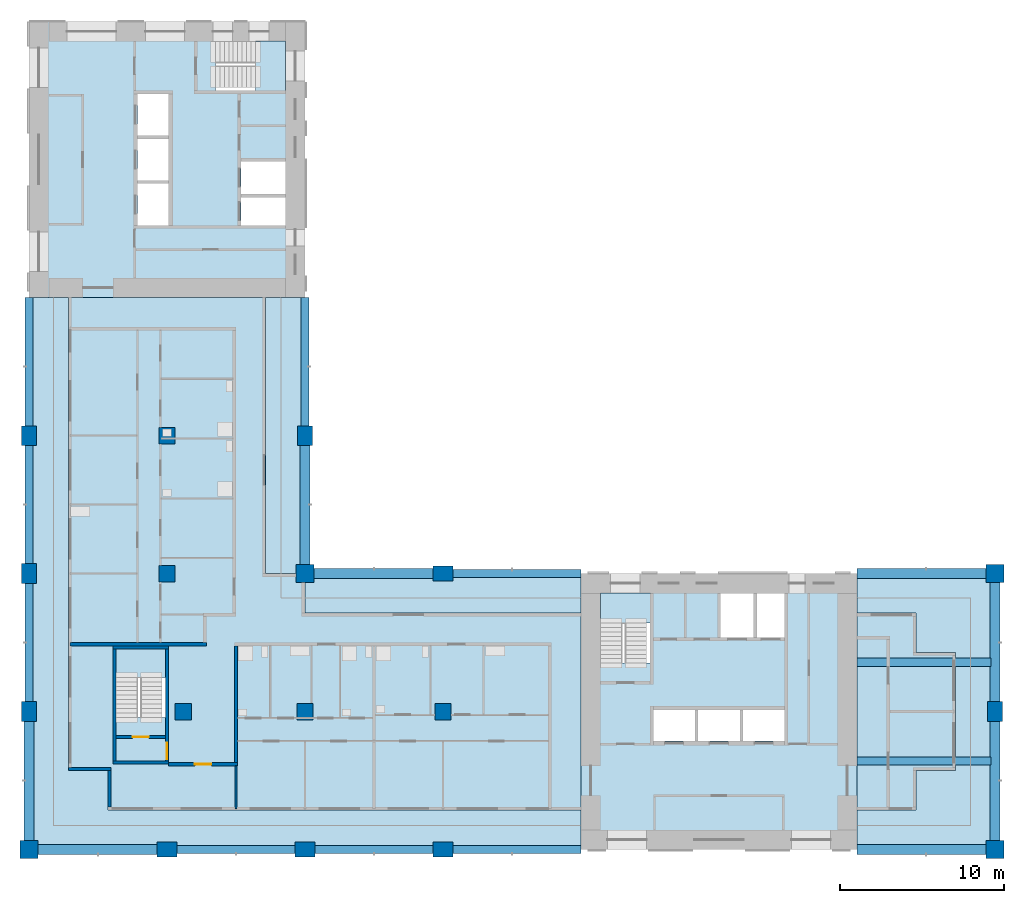
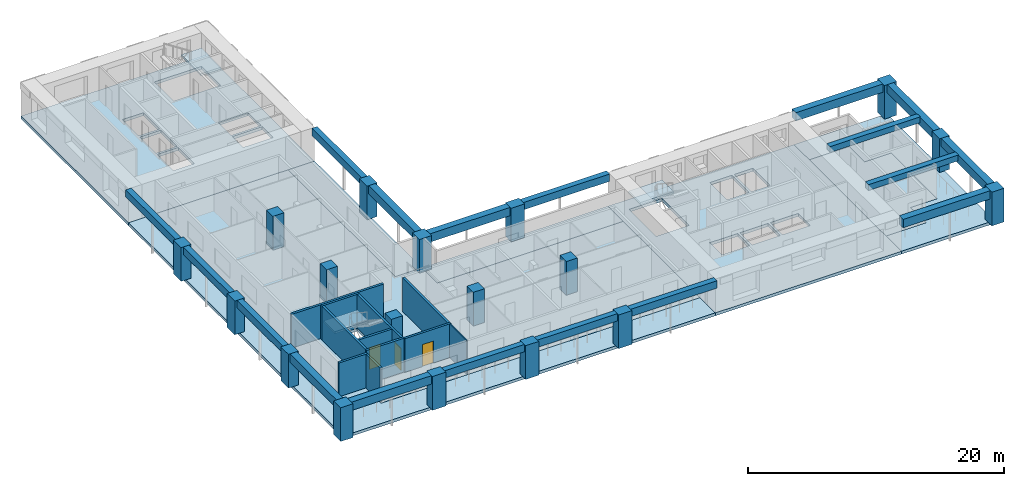
# One storey, part 1 of 10: 18 beams, 18 columns, 12 slabs, 11 walls, 3 doors, 3 openings, 3 elements without a shape of their own.
"""IFC4 building model written with IfcOpenShell, lengths in metres."""

import ifcopenshell
import ifcopenshell.guid

model = None  # the IFC model being written
_history = None  # IfcOwnerHistory: only IFC2X3 demands one
_inside = {}  # id of a spatial element -> (the spatial element, [elements in it])
_under = {}  # id of a project, library or spatial element -> (it, [spatial elements below it])
_declared = {}  # id of a project -> (the project, [libraries it declares])
_typed = {}  # id of a type object -> (the type object, [elements of that type])
_made_of = {}  # id of a material, layer set ... -> (it, [elements and type objects made of it])


def new_model(schema):
    """Start an empty IFC model of exactly this schema.

    Asked for "IFC4X3", IfcOpenShell would pick the latest addendum, in which some entities
    have other attributes; the version numbers below select the first issue.
    IFC2X3 requires an IfcOwnerHistory on every rooted entity: one is made here for all.
    """
    global model, _history
    if schema == "IFC4X3":
        model = ifcopenshell.file(schema_version=(4, 3, 0, 0))
    else:
        model = ifcopenshell.file(schema=schema)
    _inside.clear()
    _under.clear()
    _declared.clear()
    _typed.clear()
    _made_of.clear()
    _history = None
    if model.schema == "IFC2X3":
        org = make("IfcOrganization", Name="unknown")
        user = make(
            "IfcPersonAndOrganization",
            ThePerson=make("IfcPerson", FamilyName="unknown"),
            TheOrganization=org,
        )
        app = make(
            "IfcApplication",
            ApplicationDeveloper=org,
            Version="unknown",
            ApplicationFullName="unknown",
            ApplicationIdentifier="unknown",
        )
        _history = make(
            "IfcOwnerHistory",
            OwningUser=user,
            OwningApplication=app,
            ChangeAction="ADDED",
            CreationDate=0,
        )
    return model


def make(cls, **values):
    """One entity of the class cls with the attributes given. An attribute that is None is left unset."""
    return model.create_entity(
        cls, **{name: value for name, value in values.items() if value is not None}
    )


def rooted(cls, **values):
    """An entity with a GlobalId (a new one), such as an element, a storey or a relation."""
    return make(cls, GlobalId=ifcopenshell.guid.new(), OwnerHistory=_history, **values)


def si_unit(unit_type, name, prefix=None):
    """IfcSIUnit, for example si_unit("LENGTHUNIT", "METRE", prefix="MILLI")."""
    return make("IfcSIUnit", UnitType=unit_type, Prefix=prefix, Name=name)


def assignment(units):
    """IfcUnitAssignment: the units of a project."""
    return None if units is None else make("IfcUnitAssignment", Units=units)


def point(xyz):
    """IfcCartesianPoint."""
    return None if xyz is None else make("IfcCartesianPoint", Coordinates=xyz)


def direction(xyz):
    """IfcDirection."""
    return None if xyz is None else make("IfcDirection", DirectionRatios=xyz)


def frame(location, z_axis=None, x_axis=None):
    """IfcAxis2Placement3D, a coordinate frame: its origin and axes. An axis left out is left unset."""
    return make(
        "IfcAxis2Placement3D",
        Location=point(location),
        Axis=direction(z_axis),
        RefDirection=direction(x_axis),
    )


def frame_2d(location, x_axis=None):
    """IfcAxis2Placement2D, a coordinate frame in the plane: its origin and x axis."""
    return make(
        "IfcAxis2Placement2D", Location=point(location), RefDirection=direction(x_axis)
    )


def origin():
    """The frame at (0, 0, 0) with its axes left unset."""
    return frame((0.0, 0.0, 0.0))


def origin_2d():
    """The frame at (0, 0) in the plane with its x axis left unset."""
    return frame_2d((0.0, 0.0))


def place(relative_to, where):
    """IfcLocalPlacement: puts the frame where relative to a parent placement (None: the world)."""
    return make(
        "IfcLocalPlacement", PlacementRelTo=relative_to, RelativePlacement=where
    )


def context(
    kind, dimensions, precision=None, world=None, true_north=None, identifier=None
):
    """IfcGeometricRepresentationContext, for example the 3D "Model" context."""
    return make(
        "IfcGeometricRepresentationContext",
        ContextIdentifier=identifier,
        ContextType=kind,
        CoordinateSpaceDimension=dimensions,
        Precision=precision,
        WorldCoordinateSystem=world,
        TrueNorth=true_north,
    )


def subcontext(parent, identifier, kind, view, scale=None):
    """IfcGeometricRepresentationSubContext, for example "Body" below "Model"."""
    return make(
        "IfcGeometricRepresentationSubContext",
        ContextIdentifier=identifier,
        ContextType=kind,
        ParentContext=parent,
        TargetScale=scale,
        TargetView=view,
    )


def project(units=None, contexts=None):
    """IfcProject with its units and contexts."""
    return rooted(
        "IfcProject",
        Name="project",
        RepresentationContexts=contexts,
        UnitsInContext=assignment(units),
    )


def spatial(cls, under=None, at=None, **own):
    """A site, building, storey or space (cls), placed at a placement, below another one or the project."""
    s = rooted(cls, ObjectPlacement=at, **own)
    if under is not None:
        _under.setdefault(under.id(), (under, []))[1].append(s)
    return s


def polyline(points):
    """IfcPolyline through the points."""
    return make("IfcPolyline", Points=[point(p) for p in points])


def profile(cls, at=None, kind="AREA", **sizes):
    """A parametric profile (cls). Its sizes go by their IFC names, for example OverallWidth=200.0."""
    return make(cls, ProfileType=kind, Position=at, **sizes)


def rectangle(**sizes):
    """IfcRectangleProfileDef."""
    return profile("IfcRectangleProfileDef", **sizes)


def outline(outer, holes=None, kind="AREA"):
    """IfcArbitraryClosedProfileDef: a profile drawn as a closed curve; with holes, ...WithVoids."""
    if holes is None:
        return make("IfcArbitraryClosedProfileDef", ProfileType=kind, OuterCurve=outer)
    return make(
        "IfcArbitraryProfileDefWithVoids",
        ProfileType=kind,
        OuterCurve=outer,
        InnerCurves=holes,
    )


def extrude(swept, where, along, depth):
    """IfcExtrudedAreaSolid: the profile swept, set in the frame where, extruded along a direction by depth."""
    return make(
        "IfcExtrudedAreaSolid",
        SweptArea=swept,
        Position=where,
        ExtrudedDirection=direction(along),
        Depth=depth,
    )


def shape(context_of_items, identifier, shape_type, items):
    """IfcShapeRepresentation: the items that make up one representation, for example the "Body"."""
    return make(
        "IfcShapeRepresentation",
        ContextOfItems=context_of_items,
        RepresentationIdentifier=identifier,
        RepresentationType=shape_type,
        Items=items,
    )


def material(Name=None, Category=None):
    """IfcMaterial."""
    return make("IfcMaterial", Name=Name, Category=Category)


def layer(
    of_material, thickness, ventilated=None, Name=None, Category=None, Priority=None
):
    """IfcMaterialLayer: one layer of a wall or slab, of a material (None: an air gap)."""
    return make(
        "IfcMaterialLayer",
        Material=of_material,
        LayerThickness=thickness,
        IsVentilated=ventilated,
        Name=Name,
        Category=Category,
        Priority=Priority,
    )


def layer_set(layers, Name=None):
    """IfcMaterialLayerSet."""
    return make("IfcMaterialLayerSet", MaterialLayers=layers, LayerSetName=Name)


def material_profile(
    of_material, cross_section, Name=None, Category=None, Priority=None
):
    """IfcMaterialProfile: a cross section and its material."""
    return make(
        "IfcMaterialProfile",
        Name=Name,
        Material=of_material,
        Profile=cross_section,
        Priority=Priority,
        Category=Category,
    )


def profile_set(profiles, Name=None, composite=None):
    """IfcMaterialProfileSet."""
    return make(
        "IfcMaterialProfileSet",
        Name=Name,
        MaterialProfiles=profiles,
        CompositeProfile=composite,
    )


def made_of(thing, what):
    """Note that an element or type object is made of a material, layer set ...; save() writes the relation."""
    if what is not None:
        _made_of.setdefault(what.id(), (what, []))[1].append(thing)
    return thing


def type_object(cls, material=None, **own):
    """A type object (cls), such as IfcWallType, which elements share."""
    return made_of(rooted(cls, **own), material)


def element(
    cls,
    number,
    at=None,
    inside=None,
    cuts=None,
    type_object=None,
    material=None,
    context=None,
    identifier="Body",
    shape_type=None,
    held_by="IfcProductDefinitionShape",
    body=None,
    shapes=None,
    **own,
):
    """One element of the class cls, such as IfcWall. Its Tag is "e" and its number.

    at: its placement. inside: the storey or other place that contains it. cuts: it is an
    opening in that element (IfcRelVoidsElement). A single representation is given by context,
    identifier, shape_type and body (its items); several are given by shapes. held_by: the class
    of the entity that holds the representations. save() writes the other relations.
    """
    e = rooted(cls, Tag="e%d" % number, ObjectPlacement=at, **own)
    if body is not None:
        shapes = [shape(context, identifier, shape_type, body)]
    if shapes is not None:
        e.Representation = make(held_by, Representations=shapes)
    if inside is not None:
        _inside.setdefault(inside.id(), (inside, []))[1].append(e)
    if cuts is not None:
        rooted(
            "IfcRelVoidsElement", RelatingBuildingElement=cuts, RelatedOpeningElement=e
        )
    if type_object is not None:
        _typed.setdefault(type_object.id(), (type_object, []))[1].append(e)
    return made_of(e, material)


def fill(opening, filler):
    """IfcRelFillsElement: the door or window that sits in an opening."""
    return rooted(
        "IfcRelFillsElement",
        RelatingOpeningElement=opening,
        RelatedBuildingElement=filler,
    )


def aggregate(whole, parts):
    """IfcRelAggregates: a whole, such as a stair, and the parts it consists of."""
    return rooted("IfcRelAggregates", RelatingObject=whole, RelatedObjects=parts)


def save(model, path):
    """Write the relations noted so far, then the file.

    IfcRelAggregates (storeys below a building ...), IfcRelContainedInSpatialStructure (elements
    in a storey), IfcRelDefinesByType, IfcRelAssociatesMaterial and IfcRelDeclares: one each for
    every whole, place, type object, material and project.
    """
    for whole, parts in _under.values():
        aggregate(whole, parts)
    for where, things in _inside.values():
        rooted(
            "IfcRelContainedInSpatialStructure",
            RelatedElements=things,
            RelatingStructure=where,
        )
    for kind, things in _typed.values():
        rooted("IfcRelDefinesByType", RelatedObjects=things, RelatingType=kind)
    for what, things in _made_of.values():
        rooted("IfcRelAssociatesMaterial", RelatedObjects=things, RelatingMaterial=what)
    for by, libraries in _declared.values():
        rooted("IfcRelDeclares", RelatingContext=by, RelatedDefinitions=libraries)
    model.write(path)


model = new_model("IFC4")

# Units and contexts
model_context = context("Model", 3, precision=1e-05, world=origin(), true_north=direction((0.0, 1.0)))
body_context = subcontext(model_context, "Body", "Model", "MODEL_VIEW")
ifc_project = project(units=[si_unit("LENGTHUNIT", "METRE"), si_unit("AREAUNIT", "SQUARE_METRE"), si_unit("VOLUMEUNIT", "CUBIC_METRE"), si_unit("PLANEANGLEUNIT", "RADIAN"), si_unit("MASSUNIT", "GRAM", prefix="KILO")], contexts=[model_context])

# Site, building, storey
site_placement = place(None, origin())
site = spatial("IfcSite", under=ifc_project, at=site_placement, CompositionType="ELEMENT")
building_placement = place(site_placement, origin())
building = spatial("IfcBuilding", under=site, at=building_placement, Name="Vermilion Gate Residences", CompositionType="ELEMENT")
storey_placement = place(building_placement, frame((0.0, 0.0, 175.699951171875)))
storey = spatial("IfcBuildingStorey", under=building, at=storey_placement, Name="L45", CompositionType="ELEMENT", Elevation=175.699951171875)

# Columns
ifc_material_1 = material(Name="Concrete C60", Category="concrete")
ifc_material_profile_1 = material_profile(ifc_material_1, rectangle(XDim=1.0, YDim=1.0, at=origin_2d()), Name="RC-1000x1000")
ifc_profile_set_1 = profile_set([ifc_material_profile_1], Name="Concrete C60")
column_type_1 = type_object("IfcColumnType", Name="RC COLUMN 1000 X 1000 C60", PredefinedType="COLUMN", material=ifc_profile_set_1)
for number, where, z_axis, x_axis, name in (
    (1, (17.800048828125, 16.800048828125, 0.0), (0.0, 0.0, 1.0), (1.0, 0.0, 0.0), "Column 3-C L45"),
    (2, (16.800048828125, 25.199951171875, 0.0), (0.0, 0.0, 1.0), (1.0, 0.0, 0.0), "Column 3-D L45"),
    (3, (16.800048828125, 33.60009765625, 0.0), (0.0, 0.0, 1.0), (1.0, 0.0, 0.0), "Column 3-E L45"),
    (4, (25.199951171875, 16.800048828125, 0.0), (0.0, 0.0, 1.0), (1.0, 0.0, 0.0), "Column 4-C L45"),
    (5, (33.60009765625, 16.800048828125, 0.0), (0.0, 0.0, 1.0), (1.0, 0.0, 0.0), "Column 5-C L45"),
):
    element("IfcColumn", number, at=place(storey_placement, frame(where, z_axis=z_axis, x_axis=x_axis)), inside=storey, type_object=column_type_1, Name=name, PredefinedType="COLUMN", context=body_context, shape_type="SweptSolid", body=[
        extrude(rectangle(XDim=1.0, YDim=1.0, at=origin_2d()), origin(), (0.0, 0.0, 1.0), 3.219970703125),
    ])
ifc_material_2 = material(Name="Concrete C60", Category="concrete")
ifc_material_profile_2 = material_profile(ifc_material_2, rectangle(XDim=1.10009765625, YDim=1.10009765625, at=origin_2d()), Name="RC-1100x1100")
ifc_profile_set_2 = profile_set([ifc_material_profile_2], Name="Concrete C60")
column_type_2 = type_object("IfcColumnType", Name="RC COLUMN 1100 X 1100 C60", PredefinedType="COLUMN", material=ifc_profile_set_2)
for number, where, z_axis, x_axis, name in (
    (6, (8.39990234375, 8.39990234375, 0.0), (0.0, 0.0, 1.0), (1.0, 0.0, 0.0), "Column 2-B L45"),
    (7, (25.199951171875, 25.199951171875, 0.0), (0.0, 0.0, 1.0), (1.0, 0.0, 0.0), "Column 4-D L45"),
    (8, (67.199951171875, 8.39990234375, 0.0), (0.0, 0.0, 1.0), (1.0, 0.0, 0.0), "Column 9-B L45"),
    (9, (67.199951171875, 25.199951171875, 0.0), (0.0, 0.0, 1.0), (1.0, 0.0, 0.0), "Column 9-D L45"),
):
    element("IfcColumn", number, at=place(storey_placement, frame(where, z_axis=z_axis, x_axis=x_axis)), inside=storey, type_object=column_type_2, Name=name, PredefinedType="COLUMN", context=body_context, shape_type="SweptSolid", body=[
        extrude(rectangle(XDim=1.10009765625, YDim=1.10009765625, at=origin_2d()), origin(), (0.0, 0.0, 1.0), 3.219970703125),
    ])
ifc_material_3 = material(Name="Concrete C60", Category="concrete")
ifc_material_profile_3 = material_profile(ifc_material_3, rectangle(XDim=1.199951171875, YDim=0.89990234375, at=origin_2d()), Name="RC-1200x900")
ifc_profile_set_3 = profile_set([ifc_material_profile_3], Name="Concrete C60")
column_type_3 = type_object("IfcColumnType", Name="RC COLUMN 1200 X 900 C60", PredefinedType="COLUMN", material=ifc_profile_set_3)
for number, where, z_axis, x_axis, name in (
    (10, (8.39990234375, 16.800048828125, 0.0), (0.0, 0.0, 1.0), (0.0, 1.0, 0.0), "Column 2-C L45"),
    (11, (8.39990234375, 25.199951171875, 0.0), (0.0, 0.0, 1.0), (0.0, 1.0, 0.0), "Column 2-D L45"),
    (12, (8.39990234375, 33.60009765625, 0.0), (0.0, 0.0, 1.0), (0.0, 1.0, 0.0), "Column 2-E L45"),
    (13, (16.800048828125, 8.39990234375, 0.0), (0.0, 0.0, 1.0), (1.0, 0.0, 0.0), "Column 3-B L45"),
    (14, (25.199951171875, 8.39990234375, 0.0), (0.0, 0.0, 1.0), (1.0, 0.0, 0.0), "Column 4-B L45"),
    (15, (25.199951171875, 33.60009765625, 0.0), (0.0, 0.0, 1.0), (0.0, 1.0, 0.0), "Column 4-E L45"),
    (16, (33.60009765625, 8.39990234375, 0.0), (0.0, 0.0, 1.0), (1.0, 0.0, 0.0), "Column 5-B L45"),
    (17, (33.60009765625, 25.199951171875, 0.0), (0.0, 0.0, 1.0), (1.0, 0.0, 0.0), "Column 5-D L45"),
    (18, (67.199951171875, 16.800048828125, 0.0), (0.0, 0.0, 1.0), (0.0, 1.0, 0.0), "Column 9-C L45"),
):
    element("IfcColumn", number, at=place(storey_placement, frame(where, z_axis=z_axis, x_axis=x_axis)), inside=storey, type_object=column_type_3, Name=name, PredefinedType="COLUMN", context=body_context, shape_type="SweptSolid", body=[
        extrude(rectangle(XDim=1.199951171875, YDim=0.89990234375, at=origin_2d()), origin(), (0.0, 0.0, 1.0), 3.219970703125),
    ])

# Beams
ifc_material_4 = material(Name="Concrete C60 red-oxide pigmented", Category="concrete")
ifc_material_profile_4 = material_profile(ifc_material_4, rectangle(XDim=0.60009765625, YDim=0.800048828125, at=origin_2d()), Name="RC-600x800")
ifc_profile_set_4 = profile_set([ifc_material_profile_4], Name="Concrete C60 red-oxide pigmented")
beam_type_1 = type_object("IfcBeamType", Name="RC CORNER EDGE BEAM 600 X 800 C60", PredefinedType="BEAM", material=ifc_profile_set_4)
for number, where, z_axis, x_axis, name in (
    (19, (8.949951171875, 8.39990234375, 2.820068359375), (1.0, 0.0, 0.0), (0.0, 1.0, 0.0), "Corner edge beam L45 1"),
    (20, (8.39990234375, 8.949951171875, 2.820068359375), (0.0, 1.0, 0.0), (-1.0, 0.0, 0.0), "Corner edge beam L45 2"),
    (21, (25.199951171875, 25.75, 2.820068359375), (0.0, 1.0, 0.0), (-1.0, 0.0, 0.0), "Corner edge beam L45 7"),
    (22, (25.75, 25.199951171875, 2.820068359375), (1.0, 0.0, 0.0), (0.0, 1.0, 0.0), "Corner edge beam L45 10"),
):
    element("IfcBeam", number, at=place(storey_placement, frame(where, z_axis=z_axis, x_axis=x_axis)), inside=storey, type_object=beam_type_1, Name=name, PredefinedType="BEAM", context=body_context, shape_type="SweptSolid", body=[
        extrude(rectangle(XDim=0.60009765625, YDim=0.800048828125, at=origin_2d()), origin(), (0.0, 0.0, 1.0), 7.25),
    ])
beam_1_placement = place(storey_placement, frame((58.800048828125, 8.39990234375, 2.820068359375), z_axis=(1.0, 0.0, 0.0), x_axis=(0.0, 1.0, 0.0)))
element("IfcBeam", 23, at=beam_1_placement, inside=storey, type_object=beam_type_1, Name="Corner edge beam L45 13", PredefinedType="BEAM", context=body_context, shape_type="SweptSolid", body=[
    extrude(rectangle(XDim=0.60009765625, YDim=0.800048828125, at=origin_2d()), origin(), (0.0, 0.0, 1.0), 7.849853515625),
])
for number, where, z_axis, x_axis, name in (
    (24, (67.199951171875, 8.949951171875, 2.820068359375), (0.0, 1.0, 0.0), (-1.0, 0.0, 0.0), "Corner edge beam L45 14"),
    (25, (67.199951171875, 17.39990234375, 2.820068359375), (0.0, 1.0, 0.0), (-1.0, 0.0, 0.0), "Corner edge beam L45 15"),
):
    element("IfcBeam", number, at=place(storey_placement, frame(where, z_axis=z_axis, x_axis=x_axis)), inside=storey, type_object=beam_type_1, Name=name, PredefinedType="BEAM", context=body_context, shape_type="SweptSolid", body=[
        extrude(rectangle(XDim=0.60009765625, YDim=0.800048828125, at=origin_2d()), origin(), (0.0, 0.0, 1.0), 7.25),
    ])
beam_2_placement = place(storey_placement, frame((58.800048828125, 25.199951171875, 2.820068359375), z_axis=(1.0, 0.0, 0.0), x_axis=(0.0, 1.0, 0.0)))
element("IfcBeam", 26, at=beam_2_placement, inside=storey, type_object=beam_type_1, Name="Corner edge beam L45 16", PredefinedType="BEAM", context=body_context, shape_type="SweptSolid", body=[
    extrude(rectangle(XDim=0.60009765625, YDim=0.800048828125, at=origin_2d()), origin(), (0.0, 0.0, 1.0), 7.849853515625),
])
ifc_material_5 = material(Name="Concrete C60 red-oxide pigmented", Category="concrete")
ifc_material_profile_5 = material_profile(ifc_material_5, rectangle(XDim=0.5, YDim=0.699951171875, at=origin_2d()), Name="RC-500x700")
ifc_profile_set_5 = profile_set([ifc_material_profile_5], Name="Concrete C60 red-oxide pigmented")
beam_type_2 = type_object("IfcBeamType", Name="RC EDGE BEAM 500 X 700 C60", PredefinedType="BEAM", material=ifc_profile_set_5)
beam_3_placement = place(storey_placement, frame((8.39990234375, 17.39990234375, 2.8701171875), z_axis=(0.0, 1.0, 0.0), x_axis=(-1.0, 0.0, 0.0)))
element("IfcBeam", 27, at=beam_3_placement, inside=storey, type_object=beam_type_2, Name="Edge beam L45 3", PredefinedType="BEAM", context=body_context, shape_type="SweptSolid", body=[
    extrude(rectangle(XDim=0.5, YDim=0.699951171875, at=origin_2d()), origin(), (0.0, 0.0, 1.0), 7.2001953125),
])
beam_4_placement = place(storey_placement, frame((8.39990234375, 25.800048828125, 2.8701171875), z_axis=(0.0, 1.0, 0.0), x_axis=(-1.0, 0.0, 0.0)))
element("IfcBeam", 28, at=beam_4_placement, inside=storey, type_object=beam_type_2, Name="Edge beam L45 4", PredefinedType="BEAM", context=body_context, shape_type="SweptSolid", body=[
    extrude(rectangle(XDim=0.5, YDim=0.699951171875, at=origin_2d()), origin(), (0.0, 0.0, 1.0), 7.199951171875),
])
beam_5_placement = place(storey_placement, frame((8.39990234375, 34.199951171875, 2.8701171875), z_axis=(0.0, 1.0, 0.0), x_axis=(-1.0, 0.0, 0.0)))
element("IfcBeam", 29, at=beam_5_placement, inside=storey, type_object=beam_type_2, Name="Edge beam L45 5", PredefinedType="BEAM", context=body_context, shape_type="SweptSolid", body=[
    extrude(rectangle(XDim=0.5, YDim=0.699951171875, at=origin_2d()), origin(), (0.0, 0.0, 1.0), 7.800048828125),
])
beam_6_placement = place(storey_placement, frame((17.39990234375, 8.39990234375, 2.8701171875), z_axis=(1.0, 0.0, 0.0), x_axis=(0.0, 1.0, 0.0)))
element("IfcBeam", 30, at=beam_6_placement, inside=storey, type_object=beam_type_2, Name="Edge beam L45 6", PredefinedType="BEAM", context=body_context, shape_type="SweptSolid", body=[
    extrude(rectangle(XDim=0.5, YDim=0.699951171875, at=origin_2d()), origin(), (0.0, 0.0, 1.0), 7.2001953125),
])
beam_7_placement = place(storey_placement, frame((25.199951171875, 34.199951171875, 2.8701171875), z_axis=(0.0, 1.0, 0.0), x_axis=(-1.0, 0.0, 0.0)))
element("IfcBeam", 31, at=beam_7_placement, inside=storey, type_object=beam_type_2, Name="Edge beam L45 8", PredefinedType="BEAM", context=body_context, shape_type="SweptSolid", body=[
    extrude(rectangle(XDim=0.5, YDim=0.699951171875, at=origin_2d()), origin(), (0.0, 0.0, 1.0), 7.800048828125),
])
beam_8_placement = place(storey_placement, frame((25.800048828125, 8.39990234375, 2.8701171875), z_axis=(1.0, 0.0, 0.0), x_axis=(0.0, 1.0, 0.0)))
element("IfcBeam", 32, at=beam_8_placement, inside=storey, type_object=beam_type_2, Name="Edge beam L45 9", PredefinedType="BEAM", context=body_context, shape_type="SweptSolid", body=[
    extrude(rectangle(XDim=0.5, YDim=0.699951171875, at=origin_2d()), origin(), (0.0, 0.0, 1.0), 7.199951171875),
])
for number, where, z_axis, x_axis, name in (
    (33, (34.199951171875, 8.39990234375, 2.8701171875), (1.0, 0.0, 0.0), (0.0, 1.0, 0.0), "Edge beam L45 11"),
    (34, (34.199951171875, 25.199951171875, 2.8701171875), (1.0, 0.0, 0.0), (0.0, 1.0, 0.0), "Edge beam L45 12"),
):
    element("IfcBeam", number, at=place(storey_placement, frame(where, z_axis=z_axis, x_axis=x_axis)), inside=storey, type_object=beam_type_2, Name=name, PredefinedType="BEAM", context=body_context, shape_type="SweptSolid", body=[
        extrude(rectangle(XDim=0.5, YDim=0.699951171875, at=origin_2d()), origin(), (0.0, 0.0, 1.0), 7.800048828125),
    ])
ifc_material_6 = material(Name="Concrete C60", Category="concrete")
ifc_material_profile_6 = material_profile(ifc_material_6, rectangle(XDim=0.5, YDim=0.550048828125, at=origin_2d()), Name="RC-500x550")
ifc_profile_set_6 = profile_set([ifc_material_profile_6], Name="Concrete C60")
beam_type_3 = type_object("IfcBeamType", Name="RC WING BEAM 500 X 550 C60", PredefinedType="BEAM", material=ifc_profile_set_6)
for number, where, z_axis, x_axis, name in (
    (35, (58.800048828125, 13.800048828125, 2.945068359375), (1.0, 0.0, 0.0), (0.0, 1.0, 0.0), "Wing-end beam L45 1"),
    (36, (58.800048828125, 19.800048828125, 2.945068359375), (1.0, 0.0, 0.0), (0.0, 1.0, 0.0), "Wing-end beam L45 2"),
):
    element("IfcBeam", number, at=place(storey_placement, frame(where, z_axis=z_axis, x_axis=x_axis)), inside=storey, type_object=beam_type_3, Name=name, PredefinedType="BEAM", context=body_context, shape_type="SweptSolid", body=[
        extrude(rectangle(XDim=0.5, YDim=0.550048828125, at=origin_2d()), origin(), (0.0, 0.0, 1.0), 8.14990234375),
    ])

# Slabs
ifc_material_7 = material(Name="Concrete C50", Category="concrete")
ifc_layer_1 = layer(ifc_material_7, 0.280029296875)
ifc_layer_set_1 = layer_set([ifc_layer_1], Name="RC CORE FLOOR SLAB 280 C50")
slab_type_1 = type_object("IfcSlabType", Name="RC CORE FLOOR SLAB 280 C50", PredefinedType="FLOOR", material=ifc_layer_set_1)
slab_1_placement = place(storey_placement, frame((0.0, 0.0, -0.280029296875)))
element("IfcSlab", 37, at=slab_1_placement, inside=storey, type_object=slab_type_1, Name="Core floor slab A45", PredefinedType="FLOOR", context=body_context, shape_type="SweptSolid", body=[
    extrude(outline(polyline([(42.0, 8.39990234375), (58.800048828125, 8.39990234375), (58.800048828125, 25.199951171875), (42.0, 25.199951171875), (42.0, 8.39990234375)]), holes=[polyline([(46.39990234375, 15.0), (46.39990234375, 16.89990234375), (48.933349609375, 16.89990234375), (48.933349609375, 15.0), (46.39990234375, 15.0)]), polyline([(49.13330078125, 16.89990234375), (51.666748046875, 16.89990234375), (51.666748046875, 15.0), (49.13330078125, 15.0), (49.13330078125, 16.89990234375)]), polyline([(51.86669921875, 16.89990234375), (54.39990234375, 16.89990234375), (54.39990234375, 15.0), (51.86669921875, 15.0), (51.86669921875, 16.89990234375)]), polyline([(43.199951171875, 19.75), (43.199951171875, 24.0), (46.199951171875, 24.0), (46.199951171875, 19.75), (43.199951171875, 19.75)]), polyline([(50.5, 24.0), (52.5, 24.0), (52.5, 21.300048828125), (50.5, 21.300048828125), (50.5, 24.0)]), polyline([(52.699951171875, 24.0), (54.39990234375, 24.0), (54.39990234375, 21.300048828125), (52.699951171875, 21.300048828125), (52.699951171875, 24.0)])]), origin(), (0.0, 0.0, 1.0), 0.280029296875),
])
slab_2_placement = place(storey_placement, frame((0.0, 0.0, -0.280029296875)))
element("IfcSlab", 38, at=slab_2_placement, inside=storey, type_object=slab_type_1, Name="Core floor slab B45", PredefinedType="FLOOR", context=body_context, shape_type="SweptSolid", body=[
    extrude(outline(polyline([(8.39990234375, 42.0), (25.199951171875, 42.0), (25.199951171875, 58.800048828125), (8.39990234375, 58.800048828125), (8.39990234375, 42.0)]), holes=[polyline([(21.300048828125, 46.39990234375), (21.300048828125, 48.10009765625), (24.0, 48.10009765625), (24.0, 46.39990234375), (21.300048828125, 46.39990234375)]), polyline([(15.0, 48.933349609375), (16.89990234375, 48.933349609375), (16.89990234375, 46.39990234375), (15.0, 46.39990234375), (15.0, 48.933349609375)]), polyline([(21.300048828125, 50.300048828125), (24.0, 50.300048828125), (24.0, 48.300048828125), (21.300048828125, 48.300048828125), (21.300048828125, 50.300048828125)]), polyline([(15.0, 49.13330078125), (15.0, 51.666748046875), (16.89990234375, 51.666748046875), (16.89990234375, 49.13330078125), (15.0, 49.13330078125)]), polyline([(15.0, 54.39990234375), (16.89990234375, 54.39990234375), (16.89990234375, 51.86669921875), (15.0, 51.86669921875), (15.0, 54.39990234375)]), polyline([(19.75, 57.60009765625), (24.0, 57.60009765625), (24.0, 54.60009765625), (19.75, 54.60009765625), (19.75, 57.60009765625)])]), origin(), (0.0, 0.0, 1.0), 0.280029296875),
])
slab_3_placement = place(storey_placement, frame((0.0, 0.0, -0.280029296875)))
element("IfcSlab", 39, at=slab_3_placement, inside=storey, type_object=slab_type_1, Name="Apex stair floor slab 45", PredefinedType="FLOOR", context=body_context, shape_type="SweptSolid", body=[
    extrude(outline(polyline([(13.5, 13.60009765625), (16.89990234375, 13.60009765625), (16.89990234375, 20.800048828125), (13.5, 20.800048828125), (13.5, 13.60009765625)]), holes=[polyline([(16.699951171875, 20.60009765625), (16.699951171875, 16.449951171875), (13.699951171875, 16.449951171875), (13.699951171875, 20.60009765625), (16.699951171875, 20.60009765625)])]), origin(), (0.0, 0.0, 1.0), 0.280029296875),
])
ifc_material_8 = material(Name="Concrete C50", Category="concrete")
ifc_layer_2 = layer(ifc_material_8, 0.280029296875)
ifc_layer_set_2 = layer_set([ifc_layer_2], Name="RC FLAT PLATE 280 C50")
slab_type_2 = type_object("IfcSlabType", Name="RC FLAT PLATE 280 C50", PredefinedType="FLOOR", material=ifc_layer_set_2)
slab_4_placement = place(storey_placement, frame((0.0, 0.0, -0.280029296875)))
element("IfcSlab", 40, at=slab_4_placement, inside=storey, type_object=slab_type_2, Name="Floor slab L45", PredefinedType="FLOOR", context=body_context, shape_type="SweptSolid", body=[
    extrude(outline(polyline([(22.800048828125, 25.199951171875), (22.800048828125, 42.0), (10.800048828125, 42.0), (10.800048828125, 13.199951171875), (13.199951171875, 13.199951171875), (13.199951171875, 10.800048828125), (42.0, 10.800048828125), (42.0, 22.800048828125), (25.199951171875, 22.800048828125), (25.199951171875, 25.199951171875), (22.800048828125, 25.199951171875)]), holes=[polyline([(13.5, 13.60009765625), (13.5, 20.800048828125), (16.89990234375, 20.800048828125), (16.89990234375, 13.60009765625), (13.5, 13.60009765625)])]), origin(), (0.0, 0.0, 1.0), 0.280029296875),
])
slab_5_placement = place(storey_placement, frame((0.0, 0.0, -0.280029296875)))
element("IfcSlab", 41, at=slab_5_placement, inside=storey, type_object=slab_type_2, Name="Floor slab L45", PredefinedType="FLOOR", context=body_context, shape_type="SweptSolid", body=[
    extrude(outline(polyline([(58.800048828125, 22.800048828125), (58.800048828125, 10.800048828125), (62.39990234375, 10.800048828125), (62.39990234375, 13.199951171875), (64.800048828125, 13.199951171875), (64.800048828125, 20.39990234375), (62.39990234375, 20.39990234375), (62.39990234375, 22.800048828125), (58.800048828125, 22.800048828125)])), origin(), (0.0, 0.0, 1.0), 0.280029296875),
])
ifc_material_9 = material(Name="Concrete C50 red-oxide pigmented", Category="concrete")
ifc_layer_3 = layer(ifc_material_9, 0.280029296875)
ifc_layer_set_3 = layer_set([ifc_layer_3], Name="RC LOGGIA SLAB 280 C50")
slab_type_3 = type_object("IfcSlabType", Name="RC LOGGIA SLAB 280 C50", PredefinedType="FLOOR", material=ifc_layer_set_3)
slab_6_placement = place(storey_placement, frame((0.0, 0.0, -0.280029296875)))
element("IfcSlab", 42, at=slab_6_placement, inside=storey, type_object=slab_type_3, Name="Loggia slab L45", PredefinedType="FLOOR", context=body_context, shape_type="SweptSolid", body=[
    extrude(outline(polyline([(8.39990234375, 42.0), (8.39990234375, 8.39990234375), (42.0, 8.39990234375), (42.0, 10.800048828125), (13.199951171875, 10.800048828125), (13.199951171875, 13.199951171875), (10.800048828125, 13.199951171875), (10.800048828125, 42.0), (8.39990234375, 42.0)])), origin(), (0.0, 0.0, 1.0), 0.280029296875),
])
slab_7_placement = place(storey_placement, frame((0.0, 0.0, -0.280029296875)))
element("IfcSlab", 43, at=slab_7_placement, inside=storey, type_object=slab_type_3, Name="Loggia slab L45", PredefinedType="FLOOR", context=body_context, shape_type="SweptSolid", body=[
    extrude(outline(polyline([(64.800048828125, 13.199951171875), (62.39990234375, 13.199951171875), (62.39990234375, 10.800048828125), (58.800048828125, 10.800048828125), (58.800048828125, 8.39990234375), (67.199951171875, 8.39990234375), (67.199951171875, 25.199951171875), (58.800048828125, 25.199951171875), (58.800048828125, 22.800048828125), (62.39990234375, 22.800048828125), (62.39990234375, 20.39990234375), (64.800048828125, 20.39990234375), (64.800048828125, 13.199951171875)])), origin(), (0.0, 0.0, 1.0), 0.280029296875),
])
slab_8_placement = place(storey_placement, frame((0.0, 0.0, -0.280029296875)))
element("IfcSlab", 44, at=slab_8_placement, inside=storey, type_object=slab_type_3, Name="Loggia slab L45", PredefinedType="FLOOR", context=body_context, shape_type="SweptSolid", body=[
    extrude(outline(polyline([(42.0, 25.199951171875), (25.199951171875, 25.199951171875), (25.199951171875, 22.800048828125), (42.0, 22.800048828125), (42.0, 25.199951171875)])), origin(), (0.0, 0.0, 1.0), 0.280029296875),
])
slab_9_placement = place(storey_placement, frame((0.0, 0.0, -0.280029296875)))
element("IfcSlab", 45, at=slab_9_placement, inside=storey, type_object=slab_type_3, Name="Loggia slab L45", PredefinedType="FLOOR", context=body_context, shape_type="SweptSolid", body=[
    extrude(outline(polyline([(22.800048828125, 42.0), (22.800048828125, 25.199951171875), (25.199951171875, 25.199951171875), (25.199951171875, 42.0), (22.800048828125, 42.0)])), origin(), (0.0, 0.0, 1.0), 0.280029296875),
])

# Stair, slab
ifc_material_10 = material(Name="Concrete C50", Category="concrete")
stair_type = type_object("IfcStairType", Name="SPECIAL ESCAPE STAIR 1300", PredefinedType="HALF_TURN_STAIR", material=ifc_material_10)
stair_1_placement = place(storey_placement, origin())
stair_1 = element("IfcStair", 46, at=stair_1_placement, inside=storey, type_object=stair_type, Name="Special escape stair STA1-45", PredefinedType="HALF_TURN_STAIR")
ifc_material_11 = material(Name="Concrete C50", Category="concrete")
ifc_layer_4 = layer(ifc_material_11, 0.199951171875)
ifc_layer_set_4 = layer_set([ifc_layer_4], Name="STAIR LANDING 200 C50")
slab_type_4 = type_object("IfcSlabType", Name="STAIR LANDING 200 C50", PredefinedType="LANDING", material=ifc_layer_set_4)
slab_10_placement = place(storey_placement, frame((0.0, 0.0, 1.550048828125)))
slab_10 = element("IfcSlab", 47, at=slab_10_placement, type_object=slab_type_4, Name="STA1-45 landing 1", PredefinedType="LANDING", context=body_context, shape_type="SweptSolid", body=[
    extrude(outline(polyline([(46.219970703125, 22.179931640625), (46.219970703125, 24.02001953125), (43.179931640625, 24.02001953125), (43.179931640625, 22.179931640625), (46.219970703125, 22.179931640625)])), origin(), (0.0, 0.0, 1.0), 0.199951171875),
])
aggregate(stair_1, [slab_10])

stair_2_placement = place(storey_placement, origin())
stair_2 = element("IfcStair", 48, at=stair_2_placement, inside=storey, type_object=stair_type, Name="Special escape stair STB1-45", PredefinedType="HALF_TURN_STAIR")
slab_11_placement = place(storey_placement, frame((0.0, 0.0, 1.550048828125)))
slab_11 = element("IfcSlab", 49, at=slab_11_placement, type_object=slab_type_4, Name="STB1-45 landing 1", PredefinedType="LANDING", context=body_context, shape_type="SweptSolid", body=[
    extrude(outline(polyline([(24.02001953125, 54.580078125), (24.02001953125, 57.6201171875), (22.179931640625, 57.6201171875), (22.179931640625, 54.580078125), (24.02001953125, 54.580078125)])), origin(), (0.0, 0.0, 1.0), 0.199951171875),
])
aggregate(stair_2, [slab_11])

stair_3_placement = place(storey_placement, origin())
stair_3 = element("IfcStair", 50, at=stair_3_placement, inside=storey, type_object=stair_type, Name="Special escape stair STC1-45", PredefinedType="HALF_TURN_STAIR")
slab_12_placement = place(storey_placement, frame((0.0, 0.0, 1.550048828125)))
slab_12 = element("IfcSlab", 51, at=slab_12_placement, type_object=slab_type_4, Name="STC1-45 landing 1", PredefinedType="LANDING", context=body_context, shape_type="SweptSolid", body=[
    extrude(outline(polyline([(16.719970703125, 18.8798828125), (16.719970703125, 20.6201171875), (13.679931640625, 20.6201171875), (13.679931640625, 18.8798828125), (16.719970703125, 18.8798828125)])), origin(), (0.0, 0.0, 1.0), 0.199951171875),
])
aggregate(stair_3, [slab_12])

# Walls
ifc_material_12 = material(Name="Insulated steel stud wall with terracotta rainscreen", Category="masonry")
ifc_layer_5 = layer(ifc_material_12, 0.199951171875)
ifc_layer_set_5 = layer_set([ifc_layer_5], Name="EXTERNAL WALL 200 TERRACOTTA RAINSCREEN")
wall_type_1 = type_object("IfcWallType", Name="EXTERNAL WALL 200 TERRACOTTA RAINSCREEN", PredefinedType="SOLIDWALL", material=ifc_layer_set_5)
wall_1_placement = place(storey_placement, frame((10.800048828125, 13.300048828125, 0.0), z_axis=(0.0, 0.0, 1.0), x_axis=(1.0, 0.0, 0.0)))
element("IfcWall", 52, at=wall_1_placement, inside=storey, type_object=wall_type_1, Name="External wall", PredefinedType="SOLIDWALL", context=body_context, shape_type="SweptSolid", body=[
    extrude(rectangle(XDim=2.599853515625, YDim=0.199951171875, at=frame_2d((1.2998046875, 0.0))), origin(), (0.0, 0.0, 1.0), 3.219970703125),
])
wall_2_placement = place(storey_placement, frame((13.300048828125, 13.199951171875, 0.0), z_axis=(0.0, 0.0, 1.0), x_axis=(0.0, -1.0, 0.0)))
element("IfcWall", 53, at=wall_2_placement, inside=storey, type_object=wall_type_1, Name="External wall", PredefinedType="SOLIDWALL", context=body_context, shape_type="SweptSolid", body=[
    extrude(rectangle(XDim=2.199951171875, YDim=0.199951171875, at=frame_2d((1.10009765625, 0.0))), origin(), (0.0, 0.0, 1.0), 3.219970703125),
])
ifc_material_13 = material(Name="Plasterboard on steel studs", Category="steel")
ifc_layer_6 = layer(ifc_material_13, 0.10009765625)
ifc_layer_set_6 = layer_set([ifc_layer_6], Name="PARTITION 100")
wall_type_2 = type_object("IfcWallType", Name="PARTITION 100", PredefinedType="PARTITIONING", material=ifc_layer_set_6)
wall_3_placement = place(storey_placement, frame((21.0, 10.89990234375, 0.0), z_axis=(0.0, 0.0, 1.0), x_axis=(0.0, 1.0, 0.0)))
element("IfcWall", 54, at=wall_3_placement, inside=storey, type_object=wall_type_2, Name="Partition", PredefinedType="PARTITIONING", context=body_context, shape_type="SweptSolid", body=[
    extrude(rectangle(XDim=2.60009765625, YDim=0.10009765625, at=frame_2d((1.300048828125, 0.0))), origin(), (0.0, 0.0, 1.0), 3.219970703125),
])

# Wall, opening, door
ifc_material_14 = material(Name="Fire-rated plasterboard on steel studs", Category="steel")
ifc_layer_7 = layer(ifc_material_14, 0.199951171875)
ifc_layer_set_7 = layer_set([ifc_layer_7], Name="PARTY WALL 200 EI 120")
wall_type_3 = type_object("IfcWallType", Name="PARTY WALL 200 EI 120", PredefinedType="PARTITIONING", material=ifc_layer_set_7)
wall_4_placement = place(storey_placement, frame((16.89990234375, 13.60009765625, 0.0), z_axis=(0.0, 0.0, 1.0), x_axis=(1.0, 0.0, 0.0)))
wall_4 = element("IfcWall", 55, at=wall_4_placement, inside=storey, type_object=wall_type_3, Name="Party and corridor wall", PredefinedType="PARTITIONING", context=body_context, shape_type="SweptSolid", body=[
    extrude(rectangle(XDim=4.2001953125, YDim=0.199951171875, at=frame_2d((2.10009765625, 0.0))), origin(), (0.0, 0.0, 1.0), 3.219970703125),
])
opening_1_placement = place(wall_4_placement, frame((1.60009765625, 0.0, 0.0)))
opening_1 = element("IfcOpeningElement", 56, at=opening_1_placement, cuts=wall_4, Name="Opening DA43001", PredefinedType="OPENING", context=body_context, shape_type="SweptSolid", body=[
    extrude(rectangle(XDim=1.0, YDim=2.10009765625, at=frame_2d((0.5, 1.050048828125))), frame((0.0, 0.10986328125, 0.0), z_axis=(0.0, -1.0, 0.0), x_axis=(1.0, 0.0, 0.0)), (0.0, 0.0, 1.0), 0.219970703125),
])
ifc_material_15 = material(Name="Steel", Category="steel")
door_type_1 = type_object("IfcDoorType", Name="ENTRANCE DOOR 1000 X 2100 FD30", OperationType="SINGLE_SWING_LEFT", PredefinedType="DOOR", material=ifc_material_15)
door_1_placement = place(opening_1_placement, frame((1.0, 0.0, 0.0), z_axis=(0.0, 0.0, 1.0), x_axis=(-1.0, 0.0, 0.0)))
door_1 = element("IfcDoor", 57, at=door_1_placement, inside=storey, type_object=door_type_1, Name="Entrance door", OperationType="SINGLE_SWING_LEFT", OverallHeight=2.10009765625, OverallWidth=1.0, PredefinedType="DOOR", context=body_context, shape_type="SweptSolid", body=[
    extrude(rectangle(XDim=1.0, YDim=2.10009765625, at=frame_2d((0.5, 1.050048828125))), frame((0.0, 0.02490234375, 0.0), z_axis=(0.0, -1.0, 0.0), x_axis=(1.0, 0.0, 0.0)), (0.0, 0.0, 1.0), 0.050048828125),
])
fill(opening_1, door_1)

# Walls
wall_5_placement = place(storey_placement, frame((10.89990234375, 20.89990234375, 0.0), z_axis=(0.0, 0.0, 1.0), x_axis=(1.0, 0.0, 0.0)))
element("IfcWall", 58, at=wall_5_placement, inside=storey, type_object=wall_type_3, Name="Party and corridor wall", PredefinedType="PARTITIONING", context=body_context, shape_type="SweptSolid", body=[
    extrude(rectangle(XDim=8.300048828125, YDim=0.199951171875, at=frame_2d((4.14990234375, 0.0))), origin(), (0.0, 0.0, 1.0), 3.219970703125),
])
wall_6_placement = place(storey_placement, frame((21.0, 13.699951171875, 0.0), z_axis=(0.0, 0.0, 1.0), x_axis=(0.0, 1.0, 0.0)))
element("IfcWall", 59, at=wall_6_placement, inside=storey, type_object=wall_type_3, Name="Party and corridor wall", PredefinedType="PARTITIONING", context=body_context, shape_type="SweptSolid", body=[
    extrude(rectangle(XDim=7.10009765625, YDim=0.199951171875, at=frame_2d((3.550048828125, 0.0))), origin(), (0.0, 0.0, 1.0), 3.219970703125),
])
ifc_material_16 = material(Name="Concrete C60", Category="concrete")
ifc_layer_8 = layer(ifc_material_16, 0.199951171875)
ifc_layer_set_8 = layer_set([ifc_layer_8], Name="RC CORE INTERNAL WALL 200 C60")
wall_type_4 = type_object("IfcWallType", Name="RC CORE INTERNAL WALL 200 C60", PredefinedType="SHEAR", material=ifc_layer_set_8)
wall_7_placement = place(storey_placement, frame((13.60009765625, 13.800048828125, 0.0), z_axis=(0.0, 0.0, 1.0), x_axis=(0.0, 1.0, 0.0)))
element("IfcWall", 60, at=wall_7_placement, inside=storey, type_object=wall_type_4, Name="Core internal wall C45-W", PredefinedType="SHEAR", context=body_context, shape_type="SweptSolid", body=[
    extrude(rectangle(XDim=6.800048828125, YDim=0.199951171875, at=frame_2d((3.39990234375, 0.0))), origin(), (0.0, 0.0, 1.0), 3.219970703125),
])

# Wall, opening, door
wall_8_placement = place(storey_placement, frame((16.800048828125, 13.800048828125, 0.0), z_axis=(0.0, 0.0, 1.0), x_axis=(0.0, 1.0, 0.0)))
wall_8 = element("IfcWall", 61, at=wall_8_placement, inside=storey, type_object=wall_type_4, Name="Core internal wall C45-E", PredefinedType="SHEAR", context=body_context, shape_type="SweptSolid", body=[
    extrude(rectangle(XDim=6.800048828125, YDim=0.199951171875, at=frame_2d((3.39990234375, 0.0))), origin(), (0.0, 0.0, 1.0), 3.219970703125),
])
opening_2_placement = place(wall_8_placement, frame((0.10009765625, 0.0, 0.0)))
opening_2 = element("IfcOpeningElement", 62, at=opening_2_placement, cuts=wall_8, Name="Opening DK45201", PredefinedType="OPENING", context=body_context, shape_type="SweptSolid", body=[
    extrude(rectangle(XDim=1.0, YDim=2.10009765625, at=frame_2d((0.5, 1.050048828125))), frame((0.0, 0.10986328125, 0.0), z_axis=(0.0, -1.0, 0.0), x_axis=(1.0, 0.0, 0.0)), (0.0, 0.0, 1.0), 0.219970703125),
])
ifc_material_17 = material(Name="Steel", Category="steel")
door_type_2 = type_object("IfcDoorType", Name="FIRE DOOR FD60 1000 X 2100", OperationType="SINGLE_SWING_LEFT", PredefinedType="DOOR", material=ifc_material_17)
door_2_placement = place(opening_2_placement, frame((1.0, 0.0, 0.0), z_axis=(0.0, 0.0, 1.0), x_axis=(-1.0, 0.0, 0.0)))
door_2 = element("IfcDoor", 63, at=door_2_placement, inside=storey, type_object=door_type_2, Name="Stair vestibule door C45", OperationType="SINGLE_SWING_RIGHT", OverallHeight=2.10009765625, OverallWidth=1.0, PredefinedType="DOOR", context=body_context, shape_type="SweptSolid", body=[
    extrude(rectangle(XDim=1.0, YDim=2.10009765625, at=frame_2d((0.5, 1.050048828125))), frame((0.0, 0.02490234375, 0.0), z_axis=(0.0, -1.0, 0.0), x_axis=(1.0, 0.0, 0.0)), (0.0, 0.0, 1.0), 0.050048828125),
])
fill(opening_2, door_2)

# Walls
for number, where, z_axis, x_axis, name in (
    (64, (13.5, 13.699951171875, 0.0), (0.0, 0.0, 1.0), (1.0, 0.0, 0.0), "Core internal wall C45-S"),
    (65, (13.5, 20.699951171875, 0.0), (0.0, 0.0, 1.0), (1.0, 0.0, 0.0), "Core internal wall C45-N"),
):
    element("IfcWall", number, at=place(storey_placement, frame(where, z_axis=z_axis, x_axis=x_axis)), inside=storey, type_object=wall_type_4, Name=name, PredefinedType="SHEAR", context=body_context, shape_type="SweptSolid", body=[
        extrude(rectangle(XDim=3.39990234375, YDim=0.199951171875, at=frame_2d((1.699951171875, 0.0))), origin(), (0.0, 0.0, 1.0), 3.219970703125),
    ])

# Wall, opening, door
wall_9_placement = place(storey_placement, frame((13.699951171875, 15.25, 0.0), z_axis=(0.0, 0.0, 1.0), x_axis=(1.0, 0.0, 0.0)))
wall_9 = element("IfcWall", 66, at=wall_9_placement, inside=storey, type_object=wall_type_4, Name="Core internal wall C45-P", PredefinedType="SHEAR", context=body_context, shape_type="SweptSolid", body=[
    extrude(rectangle(XDim=3.0, YDim=0.199951171875, at=frame_2d((1.5, 0.0))), origin(), (0.0, 0.0, 1.0), 3.219970703125),
])
opening_3_placement = place(wall_9_placement, frame((1.0, 0.0, 0.0)))
opening_3 = element("IfcOpeningElement", 67, at=opening_3_placement, cuts=wall_9, Name="Opening DK45202", PredefinedType="OPENING", context=body_context, shape_type="SweptSolid", body=[
    extrude(rectangle(XDim=1.0, YDim=2.10009765625, at=frame_2d((0.5, 1.050048828125))), frame((0.0, 0.10986328125, 0.0), z_axis=(0.0, -1.0, 0.0), x_axis=(1.0, 0.0, 0.0)), (0.0, 0.0, 1.0), 0.219970703125),
])
door_3_placement = place(opening_3_placement, origin())
door_3 = element("IfcDoor", 68, at=door_3_placement, inside=storey, type_object=door_type_2, Name="Stair door C45", OperationType="SINGLE_SWING_LEFT", OverallHeight=2.10009765625, OverallWidth=1.0, PredefinedType="DOOR", context=body_context, shape_type="SweptSolid", body=[
    extrude(rectangle(XDim=1.0, YDim=2.10009765625, at=frame_2d((0.5, 1.050048828125))), frame((0.0, 0.02490234375, 0.0), z_axis=(0.0, -1.0, 0.0), x_axis=(1.0, 0.0, 0.0)), (0.0, 0.0, 1.0), 0.050048828125),
])
fill(opening_3, door_3)

save(model, "model.ifc")
